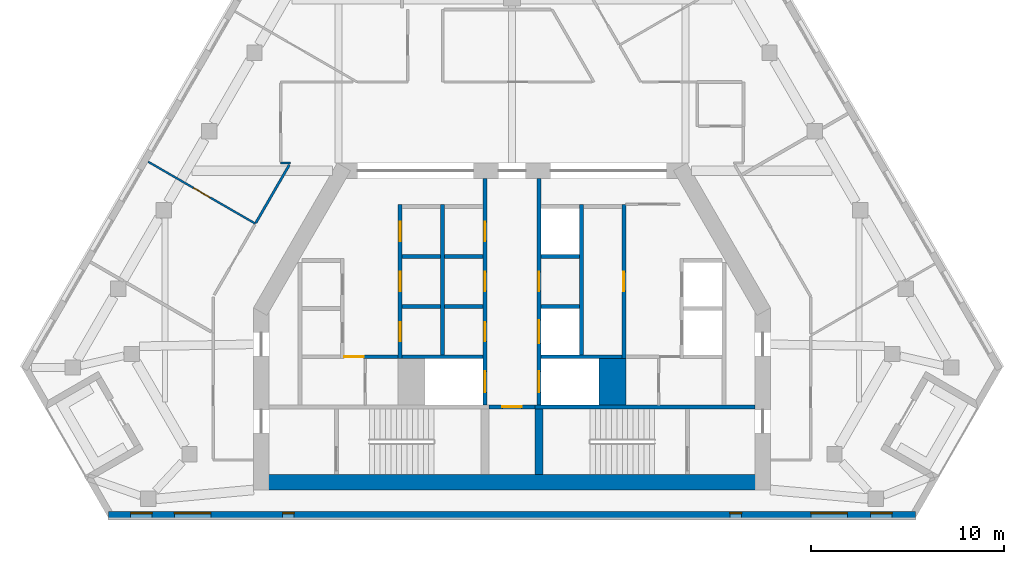
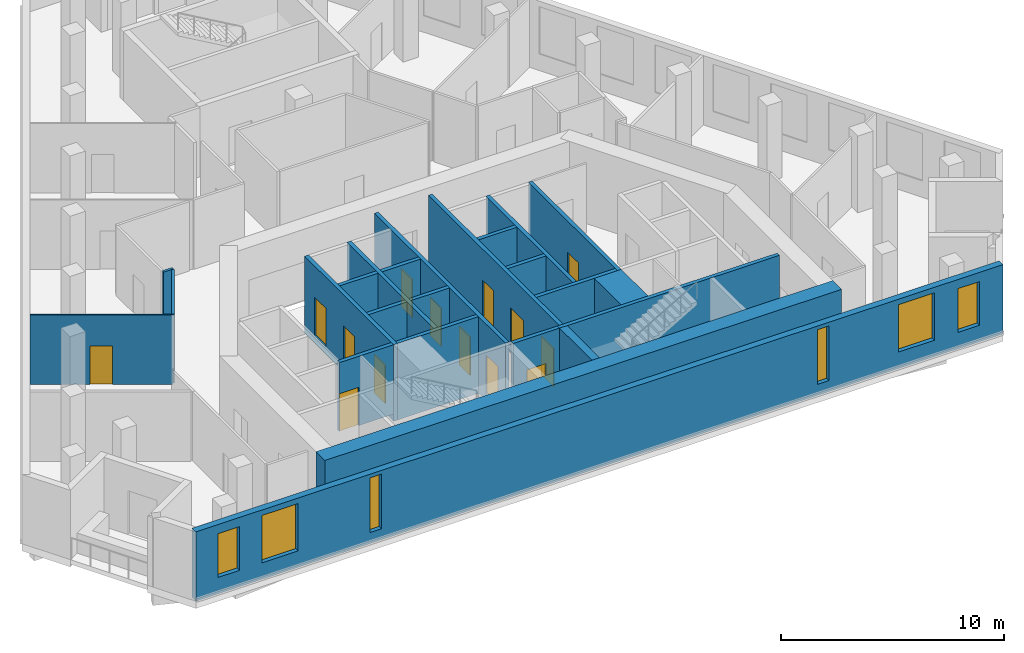
# One storey, part 3 of 9: 24 walls, 14 doors, 6 windows, 20 openings.
"""IFC4 building model written with IfcOpenShell, lengths in metres."""

from ifc_helpers import new_model, si_unit, direction, frame, frame_2d, origin, place, context, subcontext, project, spatial, rectangle, extrude, material, layer, layer_set, type_object, element, fill, save


model = new_model("IFC4")

# Units and contexts
model_context = context("Model", 3, precision=1e-05, world=origin(), true_north=direction((0.0, 1.0)))
body_context = subcontext(model_context, "Body", "Model", "MODEL_VIEW")
ifc_project = project(units=[si_unit("LENGTHUNIT", "METRE"), si_unit("AREAUNIT", "SQUARE_METRE"), si_unit("VOLUMEUNIT", "CUBIC_METRE"), si_unit("PLANEANGLEUNIT", "RADIAN"), si_unit("MASSUNIT", "GRAM", prefix="KILO")], contexts=[model_context])

# Site, building, storey
site_placement = place(None, origin())
site = spatial("IfcSite", under=ifc_project, at=site_placement, CompositionType="ELEMENT")
building_placement = place(site_placement, origin())
building = spatial("IfcBuilding", under=site, at=building_placement, Name="Fogline Exchange Tower", CompositionType="ELEMENT")
storey_placement = place(building_placement, frame((0.0, 0.0, 279.300048828125)))
storey = spatial("IfcBuildingStorey", under=building, at=storey_placement, Name="L63", CompositionType="ELEMENT", Elevation=279.300048828125)

# Walls
ifc_material_1 = material(Name="Concrete C60", Category="concrete")
ifc_layer_1 = layer(ifc_material_1, 1.39990234375)
ifc_layer_set_1 = layer_set([ifc_layer_1], Name="CW140")
wall_type_1 = type_object("IfcWallType", Name="CW140", PredefinedType="SOLIDWALL", material=ifc_layer_set_1)
wall_1_placement = place(storey_placement, frame((5.199951171875, 5.85009765625, -0.400146484375), z_axis=(0.0, 0.0, 1.0), x_axis=(0.0, 1.0, 0.0)))
element("IfcWall", 1, at=wall_1_placement, inside=storey, type_object=wall_type_1, Name="Lift shaft block wall", PredefinedType="SOLIDWALL", context=body_context, shape_type="SweptSolid", body=[
    extrude(rectangle(XDim=2.39990234375, YDim=1.39990234375, at=frame_2d((1.199951171875, 0.0))), origin(), (0.0, 0.0, 1.0), 4.2001953125),
])
ifc_material_2 = material(Name="Concrete C40", Category="concrete")
ifc_layer_2 = layer(ifc_material_2, 0.199951171875)
ifc_layer_set_2 = layer_set([ifc_layer_2], Name="CW20")
wall_type_2 = type_object("IfcWallType", Name="CW20", PredefinedType="SOLIDWALL", material=ifc_layer_set_2)
for number, where, z_axis, x_axis, name in (
    (2, (-5.699951171875, 10.949951171875, 0.0), (0.0, 0.0, 1.0), (1.0, 0.0, 0.0), "Service room wall"),
    (3, (-5.699951171875, 13.550048828125, 0.0), (0.0, 0.0, 1.0), (1.0, 0.0, 0.0), "Service room wall"),
    (4, (-3.5, 10.949951171875, 0.0), (0.0, 0.0, 1.0), (1.0, 0.0, 0.0), "Service room wall"),
    (5, (-3.5, 13.550048828125, 0.0), (0.0, 0.0, 1.0), (1.0, 0.0, 0.0), "Service room wall"),
):
    element("IfcWall", number, at=place(storey_placement, frame(where, z_axis=z_axis, x_axis=x_axis)), inside=storey, type_object=wall_type_2, Name=name, PredefinedType="SOLIDWALL", context=body_context, shape_type="SweptSolid", body=[
        extrude(rectangle(XDim=2.0, YDim=0.199951171875, at=frame_2d((1.0, 0.0))), origin(), (0.0, 0.0, 1.0), 3.800048828125),
    ])

# Wall, opening, door
wall_2_placement = place(storey_placement, frame((-8.699951171875, 8.35009765625, 0.0), z_axis=(0.0, 0.0, 1.0), x_axis=(1.0, 0.0, 0.0)))
wall_2 = element("IfcWall", 6, at=wall_2_placement, inside=storey, type_object=wall_type_2, Name="WC wall", PredefinedType="SOLIDWALL", context=body_context, shape_type="SweptSolid", body=[
    extrude(rectangle(XDim=2.800048828125, YDim=0.199951171875, at=frame_2d((1.39990234375, 0.0))), origin(), (0.0, 0.0, 1.0), 3.800048828125),
])
opening_1_placement = place(wall_2_placement, origin())
opening_1 = element("IfcOpeningElement", 7, at=opening_1_placement, cuts=wall_2, Name="Opening T20-C012", PredefinedType="OPENING", context=body_context, shape_type="SweptSolid", body=[
    extrude(rectangle(XDim=1.0, YDim=2.10009765625, at=frame_2d((0.5, 1.050048828125))), frame((0.0, 0.10986328125, 0.0), z_axis=(0.0, -1.0, 0.0), x_axis=(1.0, 0.0, 0.0)), (0.0, 0.0, 1.0), 0.219970703125),
])
ifc_material_3 = material(Name="Steel and timber fire door", Category="steel")
door_type_1 = type_object("IfcDoorType", Name="D-WC1", OperationType="SINGLE_SWING_LEFT", PredefinedType="DOOR", material=ifc_material_3)
door_1_placement = place(opening_1_placement, frame((1.0, 0.0, 0.0), z_axis=(0.0, 0.0, 1.0), x_axis=(-1.0, 0.0, 0.0)))
door_1 = element("IfcDoor", 8, at=door_1_placement, inside=storey, type_object=door_type_1, Name="Door to Men's WC", OperationType="SINGLE_SWING_LEFT", OverallHeight=2.10009765625, OverallWidth=1.0, PredefinedType="DOOR", context=body_context, shape_type="SweptSolid", body=[
    extrude(rectangle(XDim=1.0, YDim=2.10009765625, at=frame_2d((0.5, 1.050048828125))), frame((0.0, 0.02490234375, 0.0), z_axis=(0.0, -1.0, 0.0), x_axis=(1.0, 0.0, 0.0)), (0.0, 0.0, 1.0), 0.050048828125),
])
fill(opening_1, door_1)

ifc_layer_3 = layer(ifc_material_2, 0.199951171875)
ifc_layer_set_3 = layer_set([ifc_layer_3], Name="CW20R")
wall_type_3 = type_object("IfcWallType", Name="CW20R", PredefinedType="SOLIDWALL", material=ifc_layer_set_3)
wall_3_placement = place(storey_placement, frame((-1.199951171875, 5.75, -0.400146484375), z_axis=(0.0, 0.0, 1.0), x_axis=(1.0, 0.0, 0.0)))
wall_3 = element("IfcWall", 9, at=wall_3_placement, inside=storey, type_object=wall_type_3, Name="Stair enclosure wall", PredefinedType="SOLIDWALL", context=body_context, shape_type="SweptSolid", body=[
    extrude(rectangle(XDim=2.39990234375, YDim=0.199951171875, at=frame_2d((1.199951171875, 0.0))), origin(), (0.0, 0.0, 1.0), 4.2001953125),
])
opening_2_placement = place(wall_3_placement, frame((0.699951171875, 0.0, 0.39990234375)))
opening_2 = element("IfcOpeningElement", 10, at=opening_2_placement, cuts=wall_3, Name="Opening T20-C011", PredefinedType="OPENING", context=body_context, shape_type="SweptSolid", body=[
    extrude(rectangle(XDim=1.0, YDim=2.10009765625, at=frame_2d((0.5, 1.050048828125))), frame((0.0, 0.10986328125, 0.0), z_axis=(0.0, -1.0, 0.0), x_axis=(1.0, 0.0, 0.0)), (0.0, 0.0, 1.0), 0.219970703125),
])
door_type_2 = type_object("IfcDoorType", Name="D-RM1", OperationType="SINGLE_SWING_LEFT", PredefinedType="DOOR", material=ifc_material_3)
door_2_placement = place(opening_2_placement, frame((1.0, 0.0, 0.0), z_axis=(0.0, 0.0, 1.0), x_axis=(-1.0, 0.0, 0.0)))
door_2 = element("IfcDoor", 11, at=door_2_placement, inside=storey, type_object=door_type_2, Name="Door to Library Store", OperationType="SINGLE_SWING_RIGHT", OverallHeight=2.10009765625, OverallWidth=1.0, PredefinedType="DOOR", context=body_context, shape_type="SweptSolid", body=[
    extrude(rectangle(XDim=1.0, YDim=2.10009765625, at=frame_2d((0.5, 1.050048828125))), frame((0.0, 0.02490234375, 0.0), z_axis=(0.0, -1.0, 0.0), x_axis=(1.0, 0.0, 0.0)), (0.0, 0.0, 1.0), 0.050048828125),
])
fill(opening_2, door_2)

# Wall
wall_4_placement = place(storey_placement, frame((1.199951171875, 5.75, -0.400146484375), z_axis=(0.0, 0.0, 1.0), x_axis=(1.0, 0.0, 0.0)))
element("IfcWall", 12, at=wall_4_placement, inside=storey, type_object=wall_type_3, Name="Stair enclosure wall", PredefinedType="SOLIDWALL", context=body_context, shape_type="SweptSolid", body=[
    extrude(rectangle(XDim=11.400146484375, YDim=0.199951171875, at=frame_2d((5.7001953125, 0.0))), origin(), (0.0, 0.0, 1.0), 4.2001953125),
])

# Wall, openings, doors
ifc_layer_4 = layer(ifc_material_2, 0.199951171875)
ifc_layer_set_4 = layer_set([ifc_layer_4], Name="CW20S")
wall_type_4 = type_object("IfcWallType", Name="CW20S", PredefinedType="SOLIDWALL", material=ifc_layer_set_4)
wall_5_placement = place(storey_placement, frame((-5.800048828125, 8.25, -0.400146484375), z_axis=(0.0, 0.0, 1.0), x_axis=(0.0, 1.0, 0.0)))
wall_5 = element("IfcWall", 13, at=wall_5_placement, inside=storey, type_object=wall_type_4, Name="Lift shaft wall", PredefinedType="SOLIDWALL", context=body_context, shape_type="SweptSolid", body=[
    extrude(rectangle(XDim=8.0, YDim=0.199951171875, at=frame_2d((4.0, 0.0))), origin(), (0.0, 0.0, 1.0), 4.2001953125),
])
opening_3_placement = place(wall_5_placement, frame((0.89990234375, 0.0, 0.39990234375)))
opening_3 = element("IfcOpeningElement", 14, at=opening_3_placement, cuts=wall_5, Name="Opening T20-C003", PredefinedType="OPENING", context=body_context, shape_type="SweptSolid", body=[
    extrude(rectangle(XDim=1.0, YDim=2.10009765625, at=frame_2d((0.5, 1.050048828125))), frame((0.0, 0.10986328125, 0.0), z_axis=(0.0, -1.0, 0.0), x_axis=(1.0, 0.0, 0.0)), (0.0, 0.0, 1.0), 0.219970703125),
])
opening_4_placement = place(wall_5_placement, frame((3.5, 0.0, 0.39990234375)))
opening_4 = element("IfcOpeningElement", 15, at=opening_4_placement, cuts=wall_5, Name="Opening T20-C004", PredefinedType="OPENING", context=body_context, shape_type="SweptSolid", body=[
    extrude(rectangle(XDim=1.0, YDim=2.10009765625, at=frame_2d((0.5, 1.050048828125))), frame((0.0, 0.10986328125, 0.0), z_axis=(0.0, -1.0, 0.0), x_axis=(1.0, 0.0, 0.0)), (0.0, 0.0, 1.0), 0.219970703125),
])
opening_5_placement = place(wall_5_placement, frame((6.10009765625, 0.0, 0.39990234375)))
opening_5 = element("IfcOpeningElement", 16, at=opening_5_placement, cuts=wall_5, Name="Opening T20-C005", PredefinedType="OPENING", context=body_context, shape_type="SweptSolid", body=[
    extrude(rectangle(XDim=1.0, YDim=2.10009765625, at=frame_2d((0.5, 1.050048828125))), frame((0.0, 0.10986328125, 0.0), z_axis=(0.0, -1.0, 0.0), x_axis=(1.0, 0.0, 0.0)), (0.0, 0.0, 1.0), 0.219970703125),
])
door_3_placement = place(opening_3_placement, frame((1.0, 0.0, 0.0), z_axis=(0.0, 0.0, 1.0), x_axis=(-1.0, 0.0, 0.0)))
door_3 = element("IfcDoor", 17, at=door_3_placement, inside=storey, type_object=door_type_2, Name="Door to Cable Store", OperationType="SINGLE_SWING_LEFT", OverallHeight=2.10009765625, OverallWidth=1.0, PredefinedType="DOOR", context=body_context, shape_type="SweptSolid", body=[
    extrude(rectangle(XDim=1.0, YDim=2.10009765625, at=frame_2d((0.5, 1.050048828125))), frame((0.0, 0.02490234375, 0.0), z_axis=(0.0, -1.0, 0.0), x_axis=(1.0, 0.0, 0.0)), (0.0, 0.0, 1.0), 0.050048828125),
])
fill(opening_3, door_3)
door_4_placement = place(opening_4_placement, frame((1.0, 0.0, 0.0), z_axis=(0.0, 0.0, 1.0), x_axis=(-1.0, 0.0, 0.0)))
door_4 = element("IfcDoor", 18, at=door_4_placement, inside=storey, type_object=door_type_2, Name="Door to Server Room", OperationType="SINGLE_SWING_RIGHT", OverallHeight=2.10009765625, OverallWidth=1.0, PredefinedType="DOOR", context=body_context, shape_type="SweptSolid", body=[
    extrude(rectangle(XDim=1.0, YDim=2.10009765625, at=frame_2d((0.5, 1.050048828125))), frame((0.0, 0.02490234375, 0.0), z_axis=(0.0, -1.0, 0.0), x_axis=(1.0, 0.0, 0.0)), (0.0, 0.0, 1.0), 0.050048828125),
])
fill(opening_4, door_4)
door_5_placement = place(opening_5_placement, frame((1.0, 0.0, 0.0), z_axis=(0.0, 0.0, 1.0), x_axis=(-1.0, 0.0, 0.0)))
door_5 = element("IfcDoor", 19, at=door_5_placement, inside=storey, type_object=door_type_2, Name="Door to Archive Store", OperationType="SINGLE_SWING_RIGHT", OverallHeight=2.10009765625, OverallWidth=1.0, PredefinedType="DOOR", context=body_context, shape_type="SweptSolid", body=[
    extrude(rectangle(XDim=1.0, YDim=2.10009765625, at=frame_2d((0.5, 1.050048828125))), frame((0.0, 0.02490234375, 0.0), z_axis=(0.0, -1.0, 0.0), x_axis=(1.0, 0.0, 0.0)), (0.0, 0.0, 1.0), 0.050048828125),
])
fill(opening_5, door_5)

# Wall, opening, door
wall_6_placement = place(storey_placement, frame((5.800048828125, 8.25, -0.400146484375), z_axis=(0.0, 0.0, 1.0), x_axis=(0.0, 1.0, 0.0)))
wall_6 = element("IfcWall", 20, at=wall_6_placement, inside=storey, type_object=wall_type_4, Name="Lift shaft wall", PredefinedType="SOLIDWALL", context=body_context, shape_type="SweptSolid", body=[
    extrude(rectangle(XDim=8.0, YDim=0.199951171875, at=frame_2d((4.0, 0.0))), origin(), (0.0, 0.0, 1.0), 4.2001953125),
])
opening_6_placement = place(wall_6_placement, frame((3.5, 0.0, 0.39990234375)))
opening_6 = element("IfcOpeningElement", 21, at=opening_6_placement, cuts=wall_6, Name="Opening T20-C009", PredefinedType="OPENING", context=body_context, shape_type="SweptSolid", body=[
    extrude(rectangle(XDim=1.0, YDim=2.10009765625, at=frame_2d((0.5, 1.050048828125))), frame((0.0, 0.10986328125, 0.0), z_axis=(0.0, -1.0, 0.0), x_axis=(1.0, 0.0, 0.0)), (0.0, 0.0, 1.0), 0.219970703125),
])
door_6_placement = place(opening_6_placement, origin())
door_6 = element("IfcDoor", 22, at=door_6_placement, inside=storey, type_object=door_type_2, Name="Door to Pantry", OperationType="SINGLE_SWING_LEFT", OverallHeight=2.10009765625, OverallWidth=1.0, PredefinedType="DOOR", context=body_context, shape_type="SweptSolid", body=[
    extrude(rectangle(XDim=1.0, YDim=2.10009765625, at=frame_2d((0.5, 1.050048828125))), frame((0.0, 0.02490234375, 0.0), z_axis=(0.0, -1.0, 0.0), x_axis=(1.0, 0.0, 0.0)), (0.0, 0.0, 1.0), 0.050048828125),
])
fill(opening_6, door_6)

# Walls
for number, where, z_axis, x_axis, name in (
    (23, (-3.60009765625, 8.449951171875, -0.400146484375), (0.0, 0.0, 1.0), (0.0, 1.0, 0.0), "Lift shaft wall"),
    (24, (3.60009765625, 8.449951171875, -0.400146484375), (0.0, 0.0, 1.0), (0.0, 1.0, 0.0), "Lift shaft wall"),
):
    element("IfcWall", number, at=place(storey_placement, frame(where, z_axis=z_axis, x_axis=x_axis)), inside=storey, type_object=wall_type_4, Name=name, PredefinedType="SOLIDWALL", context=body_context, shape_type="SweptSolid", body=[
        extrude(rectangle(XDim=7.800048828125, YDim=0.199951171875, at=frame_2d((3.89990234375, 0.0))), origin(), (0.0, 0.0, 1.0), 4.2001953125),
    ])

# Wall, openings, doors
wall_7_placement = place(storey_placement, frame((-1.39990234375, 5.85009765625, -0.400146484375), z_axis=(0.0, 0.0, 1.0), x_axis=(0.0, 1.0, 0.0)))
wall_7 = element("IfcWall", 25, at=wall_7_placement, inside=storey, type_object=wall_type_4, Name="Lift lobby wall", PredefinedType="SOLIDWALL", context=body_context, shape_type="SweptSolid", body=[
    extrude(rectangle(XDim=11.75, YDim=0.199951171875, at=frame_2d((5.875, 0.0))), origin(), (0.0, 0.0, 1.0), 4.2001953125),
])
opening_7_placement = place(wall_7_placement, frame((0.64990234375, 0.0, 0.39990234375)))
opening_7 = element("IfcOpeningElement", 26, at=opening_7_placement, cuts=wall_7, Name="Opening T20-LD01", PredefinedType="OPENING", context=body_context, shape_type="SweptSolid", body=[
    extrude(rectangle(XDim=1.10009765625, YDim=2.10009765625, at=frame_2d((0.550048828125, 1.050048828125))), frame((0.0, 0.10986328125, 0.0), z_axis=(0.0, -1.0, 0.0), x_axis=(1.0, 0.0, 0.0)), (0.0, 0.0, 1.0), 0.219970703125),
])
opening_8_placement = place(wall_7_placement, frame((3.300048828125, 0.0, 0.39990234375)))
opening_8 = element("IfcOpeningElement", 27, at=opening_8_placement, cuts=wall_7, Name="Opening T20-C006", PredefinedType="OPENING", context=body_context, shape_type="SweptSolid", body=[
    extrude(rectangle(XDim=1.0, YDim=2.10009765625, at=frame_2d((0.5, 1.050048828125))), frame((0.0, 0.10986328125, 0.0), z_axis=(0.0, -1.0, 0.0), x_axis=(1.0, 0.0, 0.0)), (0.0, 0.0, 1.0), 0.219970703125),
])
opening_9_placement = place(wall_7_placement, frame((5.89990234375, 0.0, 0.39990234375)))
opening_9 = element("IfcOpeningElement", 28, at=opening_9_placement, cuts=wall_7, Name="Opening T20-C007", PredefinedType="OPENING", context=body_context, shape_type="SweptSolid", body=[
    extrude(rectangle(XDim=1.0, YDim=2.10009765625, at=frame_2d((0.5, 1.050048828125))), frame((0.0, 0.10986328125, 0.0), z_axis=(0.0, -1.0, 0.0), x_axis=(1.0, 0.0, 0.0)), (0.0, 0.0, 1.0), 0.219970703125),
])
opening_10_placement = place(wall_7_placement, frame((8.5, 0.0, 0.39990234375)))
opening_10 = element("IfcOpeningElement", 29, at=opening_10_placement, cuts=wall_7, Name="Opening T20-C008", PredefinedType="OPENING", context=body_context, shape_type="SweptSolid", body=[
    extrude(rectangle(XDim=1.0, YDim=2.10009765625, at=frame_2d((0.5, 1.050048828125))), frame((0.0, 0.10986328125, 0.0), z_axis=(0.0, -1.0, 0.0), x_axis=(1.0, 0.0, 0.0)), (0.0, 0.0, 1.0), 0.219970703125),
])
door_7_placement = place(opening_8_placement, origin())
door_7 = element("IfcDoor", 30, at=door_7_placement, inside=storey, type_object=door_type_2, Name="Door to Library Store", OperationType="SINGLE_SWING_LEFT", OverallHeight=2.10009765625, OverallWidth=1.0, PredefinedType="DOOR", context=body_context, shape_type="SweptSolid", body=[
    extrude(rectangle(XDim=1.0, YDim=2.10009765625, at=frame_2d((0.5, 1.050048828125))), frame((0.0, 0.02490234375, 0.0), z_axis=(0.0, -1.0, 0.0), x_axis=(1.0, 0.0, 0.0)), (0.0, 0.0, 1.0), 0.050048828125),
])
fill(opening_8, door_7)
door_8_placement = place(opening_9_placement, origin())
door_8 = element("IfcDoor", 31, at=door_8_placement, inside=storey, type_object=door_type_2, Name="Door to Stationery Store", OperationType="SINGLE_SWING_LEFT", OverallHeight=2.10009765625, OverallWidth=1.0, PredefinedType="DOOR", context=body_context, shape_type="SweptSolid", body=[
    extrude(rectangle(XDim=1.0, YDim=2.10009765625, at=frame_2d((0.5, 1.050048828125))), frame((0.0, 0.02490234375, 0.0), z_axis=(0.0, -1.0, 0.0), x_axis=(1.0, 0.0, 0.0)), (0.0, 0.0, 1.0), 0.050048828125),
])
fill(opening_9, door_8)
door_9_placement = place(opening_10_placement, origin())
door_9 = element("IfcDoor", 32, at=door_9_placement, inside=storey, type_object=door_type_2, Name="Door to Records Store", OperationType="SINGLE_SWING_LEFT", OverallHeight=2.10009765625, OverallWidth=1.0, PredefinedType="DOOR", context=body_context, shape_type="SweptSolid", body=[
    extrude(rectangle(XDim=1.0, YDim=2.10009765625, at=frame_2d((0.5, 1.050048828125))), frame((0.0, 0.02490234375, 0.0), z_axis=(0.0, -1.0, 0.0), x_axis=(1.0, 0.0, 0.0)), (0.0, 0.0, 1.0), 0.050048828125),
])
fill(opening_10, door_9)
door_type_3 = type_object("IfcDoorType", Name="LD2", OperationType="SLIDING_TO_RIGHT", PredefinedType="DOOR", material=ifc_material_3)
door_10_placement = place(opening_7_placement, origin())
door_10 = element("IfcDoor", 33, at=door_10_placement, inside=storey, type_object=door_type_3, Name="Landing door FF1", OperationType="SLIDING_TO_RIGHT", OverallHeight=2.10009765625, OverallWidth=1.10009765625, PredefinedType="DOOR", context=body_context, shape_type="SweptSolid", body=[
    extrude(rectangle(XDim=1.10009765625, YDim=2.10009765625, at=frame_2d((0.550048828125, 1.050048828125))), frame((0.0, 0.02490234375, 0.0), z_axis=(0.0, -1.0, 0.0), x_axis=(1.0, 0.0, 0.0)), (0.0, 0.0, 1.0), 0.050048828125),
])
fill(opening_7, door_10)

wall_8_placement = place(storey_placement, frame((1.39990234375, 5.85009765625, -0.400146484375), z_axis=(0.0, 0.0, 1.0), x_axis=(0.0, 1.0, 0.0)))
wall_8 = element("IfcWall", 34, at=wall_8_placement, inside=storey, type_object=wall_type_4, Name="Lift lobby wall", PredefinedType="SOLIDWALL", context=body_context, shape_type="SweptSolid", body=[
    extrude(rectangle(XDim=11.75, YDim=0.199951171875, at=frame_2d((5.875, 0.0))), origin(), (0.0, 0.0, 1.0), 4.2001953125),
])
opening_11_placement = place(wall_8_placement, frame((3.199951171875, 0.0, 0.39990234375)))
opening_11 = element("IfcOpeningElement", 35, at=opening_11_placement, cuts=wall_8, Name="Opening T20-LD04", PredefinedType="OPENING", context=body_context, shape_type="SweptSolid", body=[
    extrude(rectangle(XDim=1.199951171875, YDim=2.10009765625, at=frame_2d((0.60009765625, 1.050048828125))), frame((0.0, 0.10986328125, 0.0), z_axis=(0.0, -1.0, 0.0), x_axis=(1.0, 0.0, 0.0)), (0.0, 0.0, 1.0), 0.219970703125),
])
opening_12_placement = place(wall_8_placement, frame((0.64990234375, 0.0, 0.39990234375)))
opening_12 = element("IfcOpeningElement", 36, at=opening_12_placement, cuts=wall_8, Name="Opening T20-LD05", PredefinedType="OPENING", context=body_context, shape_type="SweptSolid", body=[
    extrude(rectangle(XDim=1.10009765625, YDim=2.10009765625, at=frame_2d((0.550048828125, 1.050048828125))), frame((0.0, 0.10986328125, 0.0), z_axis=(0.0, -1.0, 0.0), x_axis=(1.0, 0.0, 0.0)), (0.0, 0.0, 1.0), 0.219970703125),
])
opening_13_placement = place(wall_8_placement, frame((5.89990234375, 0.0, 0.39990234375)))
opening_13 = element("IfcOpeningElement", 37, at=opening_13_placement, cuts=wall_8, Name="Opening T20-C010", PredefinedType="OPENING", context=body_context, shape_type="SweptSolid", body=[
    extrude(rectangle(XDim=1.0, YDim=2.10009765625, at=frame_2d((0.5, 1.050048828125))), frame((0.0, 0.10986328125, 0.0), z_axis=(0.0, -1.0, 0.0), x_axis=(1.0, 0.0, 0.0)), (0.0, 0.0, 1.0), 0.219970703125),
])
door_11_placement = place(opening_13_placement, frame((1.0, 0.0, 0.0), z_axis=(0.0, 0.0, 1.0), x_axis=(-1.0, 0.0, 0.0)))
door_11 = element("IfcDoor", 38, at=door_11_placement, inside=storey, type_object=door_type_2, Name="Door to Archive Store", OperationType="SINGLE_SWING_RIGHT", OverallHeight=2.10009765625, OverallWidth=1.0, PredefinedType="DOOR", context=body_context, shape_type="SweptSolid", body=[
    extrude(rectangle(XDim=1.0, YDim=2.10009765625, at=frame_2d((0.5, 1.050048828125))), frame((0.0, 0.02490234375, 0.0), z_axis=(0.0, -1.0, 0.0), x_axis=(1.0, 0.0, 0.0)), (0.0, 0.0, 1.0), 0.050048828125),
])
fill(opening_13, door_11)
door_type_4 = type_object("IfcDoorType", Name="LD1", OperationType="SLIDING_TO_LEFT", PredefinedType="DOOR", material=ifc_material_3)
door_12_placement = place(opening_11_placement, origin())
door_12 = element("IfcDoor", 39, at=door_12_placement, inside=storey, type_object=door_type_4, Name="Landing door HR3", OperationType="SLIDING_TO_LEFT", OverallHeight=2.10009765625, OverallWidth=1.199951171875, PredefinedType="DOOR", context=body_context, shape_type="SweptSolid", body=[
    extrude(rectangle(XDim=1.199951171875, YDim=2.10009765625, at=frame_2d((0.60009765625, 1.050048828125))), frame((0.0, 0.02490234375, 0.0), z_axis=(0.0, -1.0, 0.0), x_axis=(1.0, 0.0, 0.0)), (0.0, 0.0, 1.0), 0.050048828125),
])
fill(opening_11, door_12)
door_13_placement = place(opening_12_placement, origin())
door_13 = element("IfcDoor", 40, at=door_13_placement, inside=storey, type_object=door_type_3, Name="Landing door FF2", OperationType="SLIDING_TO_RIGHT", OverallHeight=2.10009765625, OverallWidth=1.10009765625, PredefinedType="DOOR", context=body_context, shape_type="SweptSolid", body=[
    extrude(rectangle(XDim=1.10009765625, YDim=2.10009765625, at=frame_2d((0.550048828125, 1.050048828125))), frame((0.0, 0.02490234375, 0.0), z_axis=(0.0, -1.0, 0.0), x_axis=(1.0, 0.0, 0.0)), (0.0, 0.0, 1.0), 0.050048828125),
])
fill(opening_12, door_13)

# Walls
for number, where, z_axis, x_axis, name in (
    (41, (-5.699951171875, 8.35009765625, -0.400146484375), (0.0, 0.0, 1.0), (1.0, 0.0, 0.0), "Lift shaft wall"),
    (42, (1.5, 8.35009765625, -0.400146484375), (0.0, 0.0, 1.0), (1.0, 0.0, 0.0), "Lift shaft wall"),
):
    element("IfcWall", number, at=place(storey_placement, frame(where, z_axis=z_axis, x_axis=x_axis)), inside=storey, type_object=wall_type_4, Name=name, PredefinedType="SOLIDWALL", context=body_context, shape_type="SweptSolid", body=[
        extrude(rectangle(XDim=4.199951171875, YDim=0.199951171875, at=frame_2d((2.10009765625, 0.0))), origin(), (0.0, 0.0, 1.0), 4.2001953125),
    ])
for number, where, z_axis, x_axis, name in (
    (43, (1.5, 10.949951171875, -0.400146484375), (0.0, 0.0, 1.0), (1.0, 0.0, 0.0), "Lift shaft wall"),
    (44, (1.5, 13.550048828125, -0.400146484375), (0.0, 0.0, 1.0), (1.0, 0.0, 0.0), "Lift shaft wall"),
):
    element("IfcWall", number, at=place(storey_placement, frame(where, z_axis=z_axis, x_axis=x_axis)), inside=storey, type_object=wall_type_4, Name=name, PredefinedType="SOLIDWALL", context=body_context, shape_type="SweptSolid", body=[
        extrude(rectangle(XDim=2.0, YDim=0.199951171875, at=frame_2d((1.0, 0.0))), origin(), (0.0, 0.0, 1.0), 4.2001953125),
    ])
ifc_layer_5 = layer(ifc_material_2, 0.39990234375)
ifc_layer_set_5 = layer_set([ifc_layer_5], Name="CW40R")
wall_type_5 = type_object("IfcWallType", Name="CW40R", PredefinedType="SOLIDWALL", material=ifc_layer_set_5)
wall_9_placement = place(storey_placement, frame((1.39990234375, 2.25, -0.400146484375), z_axis=(0.0, 0.0, 1.0), x_axis=(0.0, 1.0, 0.0)))
element("IfcWall", 45, at=wall_9_placement, inside=storey, type_object=wall_type_5, Name="Stair and lift shaft wall", PredefinedType="SOLIDWALL", context=body_context, shape_type="SweptSolid", body=[
    extrude(rectangle(XDim=3.39990234375, YDim=0.39990234375, at=frame_2d((1.699951171875, 0.0))), origin(), (0.0, 0.0, 1.0), 4.2001953125),
])

# Wall, openings, windows
ifc_material_4 = material(Name="Brick masonry", Category="masonry")
ifc_layer_6 = layer(ifc_material_4, 0.340087890625)
ifc_layer_set_6 = layer_set([ifc_layer_6], Name="FW1")
wall_type_6 = type_object("IfcWallType", Name="FW1", PredefinedType="SOLIDWALL", material=ifc_layer_set_6)
wall_10_placement = place(storey_placement, frame((-20.924560546875, 0.169921875, 0.0), z_axis=(0.0, 0.0, 1.0), x_axis=(1.0, 0.0, 0.0)))
wall_10 = element("IfcWall", 46, at=wall_10_placement, inside=storey, type_object=wall_type_6, Name="Brick wall L63 S", PredefinedType="SOLIDWALL", context=body_context, shape_type="SweptSolid", body=[
    extrude(rectangle(XDim=41.84912109375, YDim=0.340087890625, at=frame_2d((20.924560546875, 0.0))), origin(), (0.0, 0.0, 1.0), 3.800048828125),
])
opening_14_placement = place(wall_10_placement, frame((3.424560546875, 0.0, 0.89990234375)))
opening_14 = element("IfcOpeningElement", 47, at=opening_14_placement, cuts=wall_10, Name="Opening W3", PredefinedType="OPENING", context=body_context, shape_type="SweptSolid", body=[
    extrude(rectangle(XDim=1.885009765625, YDim=2.60009765625, at=frame_2d((0.9423828125, 1.300048828125))), frame((0.0, 0.18017578125, 0.0), z_axis=(0.0, -1.0, 0.0), x_axis=(1.0, 0.0, 0.0)), (0.0, 0.0, 1.0), 0.360107421875),
])
opening_15_placement = place(wall_10_placement, frame((36.424560546875, 0.0, 0.89990234375)))
opening_15 = element("IfcOpeningElement", 48, at=opening_15_placement, cuts=wall_10, Name="Opening W3", PredefinedType="OPENING", context=body_context, shape_type="SweptSolid", body=[
    extrude(rectangle(XDim=1.885009765625, YDim=2.60009765625, at=frame_2d((0.9423828125, 1.300048828125))), frame((0.0, 0.18017578125, 0.0), z_axis=(0.0, -1.0, 0.0), x_axis=(1.0, 0.0, 0.0)), (0.0, 0.0, 1.0), 0.360107421875),
])
opening_16_placement = place(wall_10_placement, frame((1.15478515625, 0.0, 0.89990234375)))
opening_16 = element("IfcOpeningElement", 49, at=opening_16_placement, cuts=wall_10, Name="Opening W4", PredefinedType="OPENING", context=body_context, shape_type="SweptSolid", body=[
    extrude(rectangle(XDim=1.114990234375, YDim=2.39990234375, at=frame_2d((0.5576171875, 1.199951171875))), frame((0.0, 0.18017578125, 0.0), z_axis=(0.0, -1.0, 0.0), x_axis=(1.0, 0.0, 0.0)), (0.0, 0.0, 1.0), 0.360107421875),
])
opening_17_placement = place(wall_10_placement, frame((39.52197265625, 0.0, 0.89990234375)))
opening_17 = element("IfcOpeningElement", 50, at=opening_17_placement, cuts=wall_10, Name="Opening W4", PredefinedType="OPENING", context=body_context, shape_type="SweptSolid", body=[
    extrude(rectangle(XDim=1.114990234375, YDim=2.39990234375, at=frame_2d((0.5576171875, 1.199951171875))), frame((0.0, 0.18017578125, 0.0), z_axis=(0.0, -1.0, 0.0), x_axis=(1.0, 0.0, 0.0)), (0.0, 0.0, 1.0), 0.360107421875),
])
opening_18_placement = place(wall_10_placement, frame((9.024658203125, 0.0, 0.60009765625)))
opening_18 = element("IfcOpeningElement", 51, at=opening_18_placement, cuts=wall_10, Name="Opening W5", PredefinedType="OPENING", context=body_context, shape_type="SweptSolid", body=[
    extrude(rectangle(XDim=0.60009765625, YDim=3.0, at=frame_2d((0.300048828125, 1.5))), frame((0.0, 0.18017578125, 0.0), z_axis=(0.0, -1.0, 0.0), x_axis=(1.0, 0.0, 0.0)), (0.0, 0.0, 1.0), 0.360107421875),
])
opening_19_placement = place(wall_10_placement, frame((32.224609375, 0.0, 0.60009765625)))
opening_19 = element("IfcOpeningElement", 52, at=opening_19_placement, cuts=wall_10, Name="Opening W5", PredefinedType="OPENING", context=body_context, shape_type="SweptSolid", body=[
    extrude(rectangle(XDim=0.60009765625, YDim=3.0, at=frame_2d((0.300048828125, 1.5))), frame((0.0, 0.18017578125, 0.0), z_axis=(0.0, -1.0, 0.0), x_axis=(1.0, 0.0, 0.0)), (0.0, 0.0, 1.0), 0.360107421875),
])
ifc_material_5 = material(Name="Aluminium and glass", Category="aluminium")
window_type_1 = type_object("IfcWindowType", Name="W3", PartitioningType="SINGLE_PANEL", PredefinedType="WINDOW", material=ifc_material_5)
window_1_placement = place(opening_14_placement, origin())
window_1 = element("IfcWindow", 53, at=window_1_placement, inside=storey, type_object=window_type_1, Name="W3 W3", OverallHeight=2.60009765625, OverallWidth=1.885009765625, PartitioningType="SINGLE_PANEL", PredefinedType="WINDOW", context=body_context, shape_type="SweptSolid", body=[
    extrude(rectangle(XDim=1.885009765625, YDim=2.60009765625, at=frame_2d((0.9423828125, 1.300048828125))), frame((0.0, 0.110107421875, 0.0), z_axis=(0.0, -1.0, 0.0), x_axis=(1.0, 0.0, 0.0)), (0.0, 0.0, 1.0), 0.06005859375),
])
fill(opening_14, window_1)
window_2_placement = place(opening_15_placement, origin())
window_2 = element("IfcWindow", 54, at=window_2_placement, inside=storey, type_object=window_type_1, Name="W3 W3", OverallHeight=2.60009765625, OverallWidth=1.885009765625, PartitioningType="SINGLE_PANEL", PredefinedType="WINDOW", context=body_context, shape_type="SweptSolid", body=[
    extrude(rectangle(XDim=1.885009765625, YDim=2.60009765625, at=frame_2d((0.9423828125, 1.300048828125))), frame((0.0, 0.110107421875, 0.0), z_axis=(0.0, -1.0, 0.0), x_axis=(1.0, 0.0, 0.0)), (0.0, 0.0, 1.0), 0.06005859375),
])
fill(opening_15, window_2)
window_type_2 = type_object("IfcWindowType", Name="W4", PartitioningType="SINGLE_PANEL", PredefinedType="WINDOW", material=ifc_material_5)
window_3_placement = place(opening_16_placement, origin())
window_3 = element("IfcWindow", 55, at=window_3_placement, inside=storey, type_object=window_type_2, Name="W4 W4", OverallHeight=2.39990234375, OverallWidth=1.114990234375, PartitioningType="SINGLE_PANEL", PredefinedType="WINDOW", context=body_context, shape_type="SweptSolid", body=[
    extrude(rectangle(XDim=1.114990234375, YDim=2.39990234375, at=frame_2d((0.5576171875, 1.199951171875))), frame((0.0, 0.110107421875, 0.0), z_axis=(0.0, -1.0, 0.0), x_axis=(1.0, 0.0, 0.0)), (0.0, 0.0, 1.0), 0.06005859375),
])
fill(opening_16, window_3)
window_4_placement = place(opening_17_placement, origin())
window_4 = element("IfcWindow", 56, at=window_4_placement, inside=storey, type_object=window_type_2, Name="W4 W4", OverallHeight=2.39990234375, OverallWidth=1.114990234375, PartitioningType="SINGLE_PANEL", PredefinedType="WINDOW", context=body_context, shape_type="SweptSolid", body=[
    extrude(rectangle(XDim=1.114990234375, YDim=2.39990234375, at=frame_2d((0.5576171875, 1.199951171875))), frame((0.0, 0.110107421875, 0.0), z_axis=(0.0, -1.0, 0.0), x_axis=(1.0, 0.0, 0.0)), (0.0, 0.0, 1.0), 0.06005859375),
])
fill(opening_17, window_4)
window_type_3 = type_object("IfcWindowType", Name="W5", PartitioningType="SINGLE_PANEL", PredefinedType="WINDOW", material=ifc_material_5)
window_5_placement = place(opening_18_placement, origin())
window_5 = element("IfcWindow", 57, at=window_5_placement, inside=storey, type_object=window_type_3, Name="W5 W5", OverallHeight=3.0, OverallWidth=0.60009765625, PartitioningType="SINGLE_PANEL", PredefinedType="WINDOW", context=body_context, shape_type="SweptSolid", body=[
    extrude(rectangle(XDim=0.60009765625, YDim=3.0, at=frame_2d((0.300048828125, 1.5))), frame((0.0, 0.110107421875, 0.0), z_axis=(0.0, -1.0, 0.0), x_axis=(1.0, 0.0, 0.0)), (0.0, 0.0, 1.0), 0.06005859375),
])
fill(opening_18, window_5)
window_6_placement = place(opening_19_placement, origin())
window_6 = element("IfcWindow", 58, at=window_6_placement, inside=storey, type_object=window_type_3, Name="W5 W5", OverallHeight=3.0, OverallWidth=0.60009765625, PartitioningType="SINGLE_PANEL", PredefinedType="WINDOW", context=body_context, shape_type="SweptSolid", body=[
    extrude(rectangle(XDim=0.60009765625, YDim=3.0, at=frame_2d((0.300048828125, 1.5))), frame((0.0, 0.110107421875, 0.0), z_axis=(0.0, -1.0, 0.0), x_axis=(1.0, 0.0, 0.0)), (0.0, 0.0, 1.0), 0.06005859375),
])
fill(opening_19, window_6)

# Wall, opening, door
ifc_material_6 = material(Name="Plasterboard partition, 2 layers each side on steel studs", Category="steel")
ifc_layer_7 = layer(ifc_material_6, 0.10009765625)
ifc_layer_set_7 = layer_set([ifc_layer_7], Name="PW1")
wall_type_7 = type_object("IfcWallType", Name="PW1", PredefinedType="PARTITIONING", material=ifc_layer_set_7)
wall_11_placement = place(storey_placement, frame((-13.30615234375, 15.25439453125, 0.0), z_axis=(0.0, 0.0, 1.0), x_axis=(-0.866022320763, 0.500005339912, 0.0)))
wall_11 = element("IfcWall", 59, at=wall_11_placement, inside=storey, type_object=wall_type_7, Name="wall-L63-W043", PredefinedType="PARTITIONING", context=body_context, shape_type="SweptSolid", body=[
    extrude(rectangle(XDim=6.4248046875, YDim=0.10009765625, at=frame_2d((3.21240234375, 0.0))), origin(), (0.0, 0.0, 1.0), 3.800048828125),
])
opening_20_placement = place(wall_11_placement, frame((2.71240234375, 0.0, 0.0)))
opening_20 = element("IfcOpeningElement", 60, at=opening_20_placement, cuts=wall_11, Name="Opening T20-D015", PredefinedType="OPENING", context=body_context, shape_type="SweptSolid", body=[
    extrude(rectangle(XDim=1.0, YDim=2.10009765625, at=frame_2d((0.5, 1.050048828125))), frame((0.0, 0.06005859375, 0.0), z_axis=(0.0, -1.0, 0.0), x_axis=(1.0, 0.0, 0.0)), (0.0, 0.0, 1.0), 0.1201171875),
])
ifc_material_7 = material(Name="Timber door leaf with steel frame", Category="steel")
door_type_5 = type_object("IfcDoorType", Name="D1", OperationType="SINGLE_SWING_LEFT", PredefinedType="DOOR", material=ifc_material_7)
door_14_placement = place(opening_20_placement, origin())
door_14 = element("IfcDoor", 61, at=door_14_placement, inside=storey, type_object=door_type_5, Name="door-L63-D015", OperationType="SINGLE_SWING_RIGHT", OverallHeight=2.10009765625, OverallWidth=1.0, PredefinedType="DOOR", context=body_context, shape_type="SweptSolid", body=[
    extrude(rectangle(XDim=1.0, YDim=2.10009765625, at=frame_2d((0.5, 1.050048828125))), frame((0.0, 0.02490234375, 0.0), z_axis=(0.0, -1.0, 0.0), x_axis=(1.0, 0.0, 0.0)), (0.0, 0.0, 1.0), 0.050048828125),
])
fill(opening_20, door_14)

# Walls
ifc_material_8 = material(Name="Plasterboard corridor partition with mineral wool, 2 layers each side")
ifc_layer_8 = layer(ifc_material_8, 0.125)
ifc_layer_set_8 = layer_set([ifc_layer_8], Name="PW2")
wall_type_8 = type_object("IfcWallType", Name="PW2", PredefinedType="PARTITIONING", material=ifc_layer_set_8)
wall_12_placement = place(storey_placement, frame((-11.489990234375, 18.39990234375, 0.0), z_axis=(0.0, 0.0, 1.0), x_axis=(-1.0, 0.0, 0.0)))
element("IfcWall", 62, at=wall_12_placement, inside=storey, type_object=wall_type_8, Name="wall-L63-W013", PredefinedType="PARTITIONING", context=body_context, shape_type="SweptSolid", body=[
    extrude(rectangle(XDim=0.510009765625, YDim=0.125, at=frame_2d((0.2548828125, 0.0))), origin(), (0.0, 0.0, 1.0), 3.800048828125),
])
wall_13_placement = place(storey_placement, frame((-13.281005859375, 15.298095703125, 0.0), z_axis=(0.0, 0.0, 1.0), x_axis=(0.500002355744, 0.866024043691, 0.0)))
element("IfcWall", 63, at=wall_13_placement, inside=storey, type_object=wall_type_8, Name="wall-L63-W016", PredefinedType="PARTITIONING", context=body_context, shape_type="SweptSolid", body=[
    extrude(rectangle(XDim=3.47314453125, YDim=0.125, at=frame_2d((1.736572265625, 0.0))), origin(), (0.0, 0.0, 1.0), 3.800048828125),
])
ifc_material_9 = material(Name="Concrete C50", Category="concrete")
ifc_layer_9 = layer(ifc_material_9, 0.800048828125)
ifc_layer_set_9 = layer_set([ifc_layer_9], Name="SW04")
wall_type_9 = type_object("IfcWallType", Name="SW04", PredefinedType="SHEAR", material=ifc_layer_set_9)
wall_14_placement = place(storey_placement, frame((-13.39990234375, 1.85009765625, 0.0), z_axis=(0.0, 0.0, 1.0), x_axis=(1.0, 0.0, 0.0)))
element("IfcWall", 64, at=wall_14_placement, inside=storey, type_object=wall_type_9, Name="L63-W901", PredefinedType="SHEAR", context=body_context, shape_type="SweptSolid", body=[
    extrude(rectangle(XDim=26.7998046875, YDim=0.800048828125, at=frame_2d((13.39990234375, 0.0))), origin(), (0.0, 0.0, 1.0), 4.199951171875),
])

save(model, "model.ifc")
